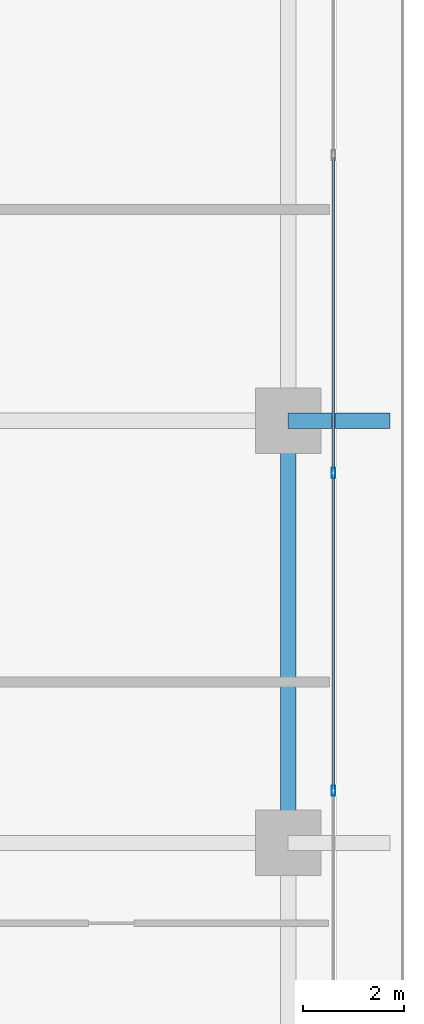
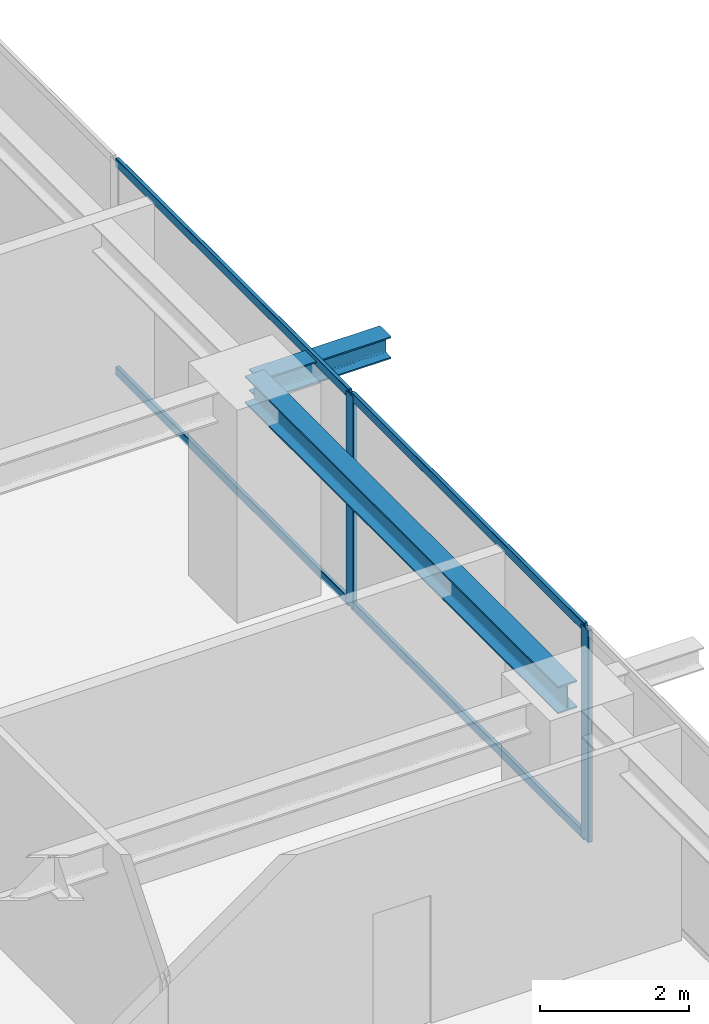
# One storey, part 16 of 37: 6 members, 2 beams, 1 element without a shape of its own.
"""IFC4 building model written with IfcOpenShell, lengths in metres."""

from ifc_helpers import new_model, si_unit, direction, frame, origin, origin_2d, place, context, subcontext, project, spatial, hollow_rectangle, i_section, extrude, source, transform, mapped, material, layer, layer_set, material_profile, profile_set, type_object, element, aggregate, save


model = new_model("IFC4")

# Units and contexts
model_context = context("Model", 3, precision=1e-05, world=origin(), true_north=direction((0.0, 1.0)))
body_context = subcontext(model_context, "Body", "Model", "MODEL_VIEW")
ifc_project = project(units=[si_unit("LENGTHUNIT", "METRE"), si_unit("AREAUNIT", "SQUARE_METRE"), si_unit("VOLUMEUNIT", "CUBIC_METRE"), si_unit("PLANEANGLEUNIT", "RADIAN"), si_unit("MASSUNIT", "GRAM", prefix="KILO")], contexts=[model_context])

# Site, building, storey
site_placement = place(None, origin())
site = spatial("IfcSite", under=ifc_project, at=site_placement, CompositionType="ELEMENT")
building_placement = place(site_placement, origin())
building = spatial("IfcBuilding", under=site, at=building_placement, Name="Serunith Strait Residences", CompositionType="ELEMENT")
storey_placement = place(building_placement, frame((0.0, 0.0, 138.89990234375)))
storey = spatial("IfcBuildingStorey", under=building, at=storey_placement, Name="L34", CompositionType="ELEMENT", Elevation=138.89990234375)

# Beams
ifc_material_1 = material(Name="Steel S355J2", Category="steel")
ifc_material_profile_1 = material_profile(ifc_material_1, i_section(OverallWidth=0.300048828125, OverallDepth=0.449951171875, WebThickness=0.013916015625, FlangeThickness=0.02587890625, FilletRadius=0.027099609375, at=origin_2d()), Name="HEB 450")
ifc_profile_set_1 = profile_set([ifc_material_profile_1], Name="Steel S355J2")
beam_type_1 = type_object("IfcBeamType", Name="BM-HEB450", PredefinedType="BEAM", material=ifc_profile_set_1)
shared_shape_1 = source(origin(), body_context, "Body", "SweptSolid", [
    extrude(i_section(OverallWidth=0.300048828125, OverallDepth=0.449951171875, WebThickness=0.013916015625, FlangeThickness=0.02587890625, FilletRadius=0.027099609375, at=origin_2d()), origin(), (0.0, 0.0, 1.0), 8.39990234375),
])
beam_1_placement = place(storey_placement, frame((56.10009765625, 21.0, 3.26220703125), z_axis=(0.0, 1.0, 0.0), x_axis=(-1.0, 0.0, 0.0)))
element("IfcBeam", 1, at=beam_1_placement, inside=storey, type_object=beam_type_1, Name="L34 Perimeter Ring Beam 06", PredefinedType="BEAM", context=body_context, shape_type="MappedRepresentation", body=[
    mapped(shared_shape_1, transform((0.0, 0.0, 0.0), scale=1.0)),
])
ifc_material_profile_2 = material_profile(ifc_material_1, i_section(OverallWidth=0.300048828125, OverallDepth=0.360107421875, WebThickness=0.012451171875, FlangeThickness=0.0224609375, FilletRadius=0.027099609375, at=origin_2d()), Name="HEB 360")
ifc_profile_set_2 = profile_set([ifc_material_profile_2], Name="Steel S355J2")
beam_type_2 = type_object("IfcBeamType", Name="BM-HEB360", PredefinedType="BEAM", material=ifc_profile_set_2)
shared_shape_2 = source(origin(), body_context, "Body", "SweptSolid", [
    extrude(i_section(OverallWidth=0.300048828125, OverallDepth=0.360107421875, WebThickness=0.012451171875, FlangeThickness=0.0224609375, FilletRadius=0.027099609375, at=origin_2d()), origin(), (0.0, 0.0, 1.0), 2.02978515625),
])
beam_2_placement = place(storey_placement, frame((56.10009765625, 29.39990234375, 3.277099609375), z_axis=(1.0, 0.0, 0.0), x_axis=(0.0, 1.0, 0.0)))
element("IfcBeam", 2, at=beam_2_placement, inside=storey, type_object=beam_type_2, Name="L35 Cantilevered Balcony Rib TC-E3", PredefinedType="BEAM", context=body_context, shape_type="MappedRepresentation", body=[
    mapped(shared_shape_2, transform((0.0, 0.0, 0.0), scale=1.0)),
])

# Curtain wall, members
ifc_material_2 = material(Name="Pale-Champagne Anodised Aluminium", Category="aluminium")
ifc_layer = layer(ifc_material_2, 0.199951171875, Name="Pale-Champagne Anodised Aluminium")
ifc_layer_set = layer_set([ifc_layer], Name="Pale-Champagne Anodised Aluminium")
curtain_wall_type = type_object("IfcCurtainWallType", Name="CW-SYS2", PredefinedType="NOTDEFINED", material=ifc_layer_set)
curtain_wall_placement = place(storey_placement, origin())
curtain_wall = element("IfcCurtainWall", 3, at=curtain_wall_placement, inside=storey, type_object=curtain_wall_type, Name="L34 E Unitised Fritted Curtain Wall", PredefinedType="NOTDEFINED")
ifc_material_profile_3 = material_profile(ifc_material_2, hollow_rectangle(XDim=0.070068359375, YDim=0.199951171875, WallThickness=0.00390625, InnerFilletRadius=0.006103515625, OuterFilletRadius=0.010009765625, at=origin_2d()), Name="ALU 200x70x4")
ifc_profile_set_3 = profile_set([ifc_material_profile_3], Name="Pale-Champagne Anodised Aluminium")
member_type_1 = type_object("IfcMemberType", Name="CW-SYS2-MULL", PredefinedType="MULLION", material=ifc_profile_set_3)
shared_shape_3 = source(origin(), body_context, "Body", "SweptSolid", [
    extrude(hollow_rectangle(XDim=0.070068359375, YDim=0.199951171875, WallThickness=0.00390625, InnerFilletRadius=0.006103515625, OuterFilletRadius=0.010009765625, at=origin_2d()), origin(), (0.0, 0.0, 1.0), 3.47509765625),
])
member_1_placement = place(storey_placement, frame((57.0, 22.0400390625, 0.0), z_axis=(0.0, 0.0, 1.0), x_axis=(-1.0, 0.0, 0.0)))
member_1 = element("IfcMember", 4, at=member_1_placement, type_object=member_type_1, Name="CW-2 mullion 3", PredefinedType="MULLION", context=body_context, shape_type="MappedRepresentation", body=[
    mapped(shared_shape_3, transform((0.0, 0.0, 0.0), scale=1.0)),
])
member_2_placement = place(storey_placement, frame((57.0, 28.360107421875, 0.0), z_axis=(0.0, 0.0, 1.0), x_axis=(-1.0, 0.0, 0.0)))
member_2 = element("IfcMember", 5, at=member_2_placement, type_object=member_type_1, Name="CW-2 mullion 4", PredefinedType="MULLION", context=body_context, shape_type="MappedRepresentation", body=[
    mapped(shared_shape_3, transform((0.0, 0.0, 0.0), scale=1.0)),
])
ifc_material_profile_4 = material_profile(ifc_material_2, hollow_rectangle(XDim=0.06005859375, YDim=0.139892578125, WallThickness=0.00341796875, InnerFilletRadius=0.00537109375, OuterFilletRadius=0.0087890625, at=origin_2d()), Name="ALU 140x60x3.5")
ifc_profile_set_4 = profile_set([ifc_material_profile_4], Name="Pale-Champagne Anodised Aluminium")
member_type_2 = type_object("IfcMemberType", Name="CW-SYS2-TRAN", PredefinedType="USERDEFINED", material=ifc_profile_set_4)
shared_shape_4 = source(origin(), body_context, "Body", "SweptSolid", [
    extrude(hollow_rectangle(XDim=0.06005859375, YDim=0.139892578125, WallThickness=0.00341796875, InnerFilletRadius=0.00537109375, OuterFilletRadius=0.0087890625, at=origin_2d()), origin(), (0.0, 0.0, 1.0), 6.25),
])
member_3_placement = place(storey_placement, frame((57.0, 22.074951171875, 0.030029296875), z_axis=(0.0, 1.0, 0.0), x_axis=(-1.0, 0.0, 0.0)))
member_3 = element("IfcMember", 6, at=member_3_placement, type_object=member_type_2, Name="CW-2 transom 3.1", ObjectType="TRANSOM", PredefinedType="USERDEFINED", context=body_context, shape_type="MappedRepresentation", body=[
    mapped(shared_shape_4, transform((0.0, 0.0, 0.0), scale=1.0)),
])
member_4_placement = place(storey_placement, frame((57.0, 22.074951171875, 3.445068359375), z_axis=(0.0, 1.0, 0.0), x_axis=(-1.0, 0.0, 0.0)))
member_4 = element("IfcMember", 7, at=member_4_placement, type_object=member_type_2, Name="CW-2 transom 3.2", ObjectType="TRANSOM", PredefinedType="USERDEFINED", context=body_context, shape_type="MappedRepresentation", body=[
    mapped(shared_shape_4, transform((0.0, 0.0, 0.0), scale=1.0)),
])
member_5_placement = place(storey_placement, frame((57.0, 28.39501953125, 0.030029296875), z_axis=(0.0, 1.0, 0.0), x_axis=(-1.0, 0.0, 0.0)))
member_5 = element("IfcMember", 8, at=member_5_placement, type_object=member_type_2, Name="CW-2 transom 4.1", ObjectType="TRANSOM", PredefinedType="USERDEFINED", context=body_context, shape_type="MappedRepresentation", body=[
    mapped(shared_shape_4, transform((0.0, 0.0, 0.0), scale=1.0)),
])
member_6_placement = place(storey_placement, frame((57.0, 28.39501953125, 3.445068359375), z_axis=(0.0, 1.0, 0.0), x_axis=(-1.0, 0.0, 0.0)))
member_6 = element("IfcMember", 9, at=member_6_placement, type_object=member_type_2, Name="CW-2 transom 4.2", ObjectType="TRANSOM", PredefinedType="USERDEFINED", context=body_context, shape_type="MappedRepresentation", body=[
    mapped(shared_shape_4, transform((0.0, 0.0, 0.0), scale=1.0)),
])
aggregate(curtain_wall, [member_1, member_2, member_3, member_4, member_5, member_6])

save(model, "model.ifc")
